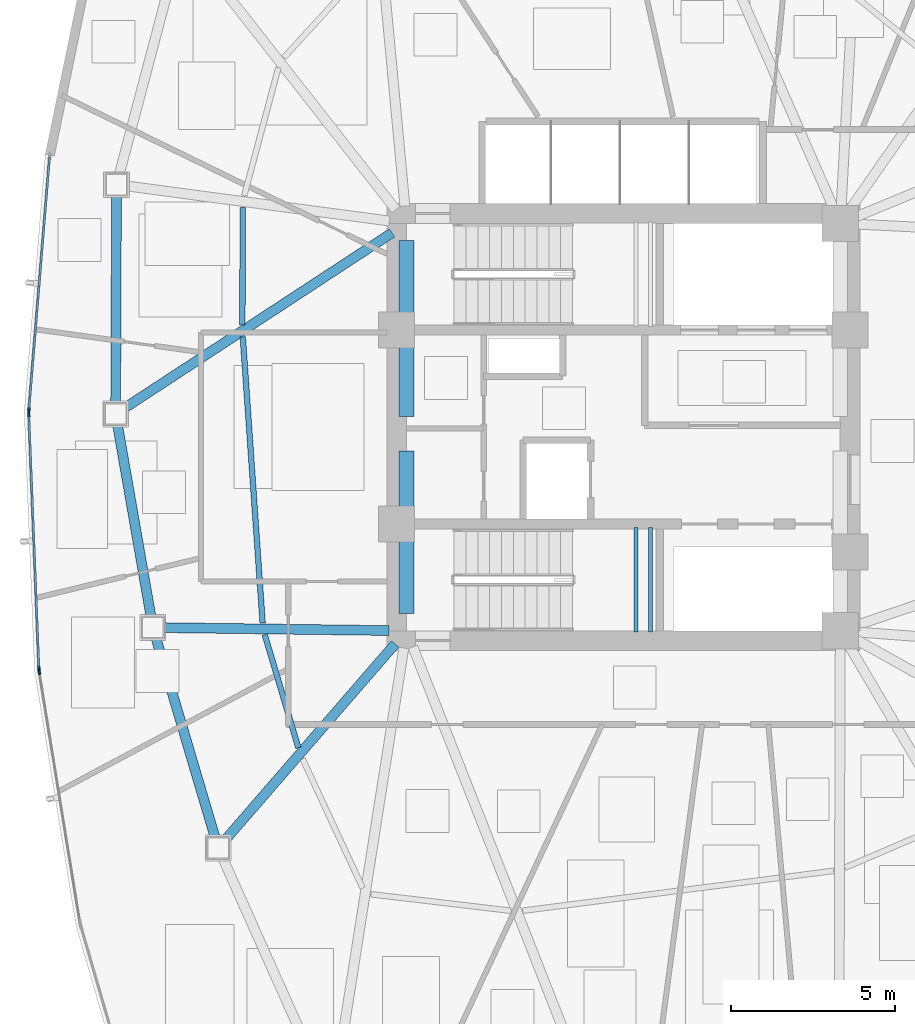
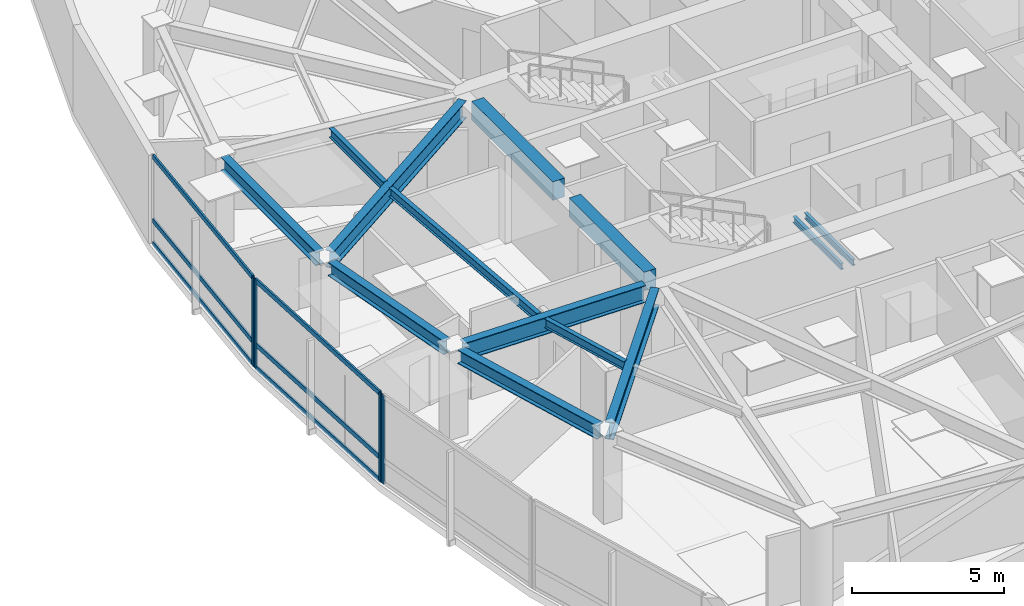
# One storey, part 4 of 17: 13 beams, 10 members, 3 elements without a shape of their own.
"""IFC4 building model written with IfcOpenShell, lengths in metres."""

from ifc_helpers import new_model, si_unit, direction, frame, origin, origin_2d, place, context, subcontext, project, spatial, rectangle, hollow_rectangle, i_section, extrude, source, transform, mapped, material, layer, layer_set, material_profile, profile_set, type_object, type_shapes, element, aggregate, save


model = new_model("IFC4")

# Units and contexts
model_context = context("Model", 3, precision=1e-05, world=origin(), true_north=direction((0.0, 1.0)))
body_context = subcontext(model_context, "Body", "Model", "MODEL_VIEW")
ifc_project = project(units=[si_unit("LENGTHUNIT", "METRE"), si_unit("AREAUNIT", "SQUARE_METRE"), si_unit("VOLUMEUNIT", "CUBIC_METRE"), si_unit("PLANEANGLEUNIT", "RADIAN"), si_unit("MASSUNIT", "GRAM", prefix="KILO")], contexts=[model_context])

# Site, building, storey
site_placement = place(None, origin())
site = spatial("IfcSite", under=ifc_project, at=site_placement, CompositionType="ELEMENT")
building_placement = place(site_placement, origin())
building = spatial("IfcBuilding", under=site, at=building_placement, Name="Tavelor Broadcast Tower", CompositionType="ELEMENT")
storey_placement = place(building_placement, frame((0.0, 0.0, 154.10009765625)))
storey = spatial("IfcBuildingStorey", under=building, at=storey_placement, Name="L36", CompositionType="ELEMENT", Elevation=154.10009765625)

# Beams
ifc_material_1 = material(Name="Concrete C40/50", Category="concrete")
ifc_material_profile_1 = material_profile(ifc_material_1, rectangle(XDim=0.449951171875, YDim=0.75, at=origin_2d()), Name="RC 450x750")
ifc_profile_set_1 = profile_set([ifc_material_profile_1], Name="Concrete C40/50")
beam_type_1 = type_object("IfcBeamType", Name="Basement Core Trim Beam 450x750", PredefinedType="BEAM", material=ifc_profile_set_1)
beam_1_placement = place(storey_placement, frame((43.39990234375, 45.327880859375, 3.1748046875), z_axis=(0.0, 1.0, 0.0), x_axis=(-1.0, 0.0, 0.0)))
element("IfcBeam", 1, at=beam_1_placement, inside=storey, type_object=beam_type_1, Name="L36 Core West-N Tie Girder", PredefinedType="BEAM", context=body_context, shape_type="SweptSolid", body=[
    extrude(rectangle(XDim=0.449951171875, YDim=0.75, at=origin_2d()), origin(), (0.0, 0.0, 1.0), 5.34423828125),
])
beam_2_placement = place(storey_placement, frame((43.39990234375, 39.327880859375, 3.1748046875), z_axis=(0.0, 1.0, 0.0), x_axis=(-1.0, 0.0, 0.0)))
element("IfcBeam", 2, at=beam_2_placement, inside=storey, type_object=beam_type_1, Name="L36 Core West-S Tie Girder", PredefinedType="BEAM", context=body_context, shape_type="SweptSolid", body=[
    extrude(rectangle(XDim=0.449951171875, YDim=0.75, at=origin_2d()), origin(), (0.0, 0.0, 1.0), 4.944091796875),
])
ifc_material_2 = material(Name="Steel S355", Category="steel")
ifc_material_profile_2 = material_profile(ifc_material_2, i_section(OverallWidth=0.169921875, OverallDepth=0.360107421875, WebThickness=0.008056640625, FlangeThickness=0.0126953125, at=origin_2d()), Name="IPE 360")
ifc_profile_set_2 = profile_set([ifc_material_profile_2], Name="Steel S355")
beam_type_2 = type_object("IfcBeamType", Name="Composite Floor Joist T3 IPE 360", PredefinedType="JOIST", material=ifc_profile_set_2)
beam_3_placement = place(storey_placement, frame((38.413818359375, 51.685302734375, 3.369873046875), z_axis=(-0.002320654457, -0.999997307278, 0.0), x_axis=(0.999997307278, -0.002320654457, 0.0)))
element("IfcBeam", 3, at=beam_3_placement, inside=storey, type_object=beam_type_2, Name="L36 Secondary Composite Floor Joist 03", PredefinedType="JOIST", context=body_context, shape_type="SweptSolid", body=[
    extrude(i_section(OverallWidth=0.169921875, OverallDepth=0.360107421875, WebThickness=0.008056640625, FlangeThickness=0.0126953125, at=origin_2d()), origin(), (0.0, 0.0, 1.0), 3.576904296875),
])
beam_4_placement = place(storey_placement, frame((38.41748046875, 47.74658203125, 3.369873046875), z_axis=(0.069100565304, -0.997609699168, 0.0), x_axis=(0.997609699168, 0.069100565304, 0.0)))
element("IfcBeam", 4, at=beam_4_placement, inside=storey, type_object=beam_type_2, Name="L36 Secondary Composite Floor Joist 04", PredefinedType="JOIST", context=body_context, shape_type="SweptSolid", body=[
    extrude(i_section(OverallWidth=0.169921875, OverallDepth=0.360107421875, WebThickness=0.008056640625, FlangeThickness=0.0126953125, at=origin_2d()), origin(), (0.0, 0.0, 1.0), 8.730224609375),
])
beam_5_placement = place(storey_placement, frame((39.084716796875, 38.68310546875, 3.369873046875), z_axis=(0.285203072184, -0.958467113477, 0.0), x_axis=(0.958467113477, 0.285203072184, 0.0)))
element("IfcBeam", 5, at=beam_5_placement, inside=storey, type_object=beam_type_2, Name="L36 Secondary Composite Floor Joist 05", PredefinedType="JOIST", context=body_context, shape_type="SweptSolid", body=[
    extrude(i_section(OverallWidth=0.169921875, OverallDepth=0.360107421875, WebThickness=0.008056640625, FlangeThickness=0.0126953125, at=origin_2d()), origin(), (0.0, 0.0, 1.0), 3.593505859375),
])
ifc_material_profile_3 = material_profile(ifc_material_2, i_section(OverallWidth=0.300048828125, OverallDepth=0.550048828125, WebThickness=0.014892578125, FlangeThickness=0.029052734375, at=origin_2d()), Name="HEB 550")
ifc_profile_set_3 = profile_set([ifc_material_profile_3], Name="Steel S355")
beam_type_3 = type_object("IfcBeamType", Name="Perimeter Spandrel Beam T3 HEB 550", PredefinedType="SPANDREL", material=ifc_profile_set_3)
beam_6_placement = place(storey_placement, frame((34.57373046875, 52.043212890625, 3.27490234375), z_axis=(-0.00410245019, -0.999991584916, 0.0), x_axis=(0.999991584916, -0.00410245019, 0.0)))
element("IfcBeam", 6, at=beam_6_placement, inside=storey, type_object=beam_type_3, Name="L36 Framed-Tube Ring Spandrel 03", PredefinedType="SPANDREL", context=body_context, shape_type="SweptSolid", body=[
    extrude(i_section(OverallWidth=0.300048828125, OverallDepth=0.550048828125, WebThickness=0.014892578125, FlangeThickness=0.029052734375, at=origin_2d()), origin(), (0.0, 0.0, 1.0), 6.30810546875),
])
beam_7_placement = place(storey_placement, frame((34.604248046875, 45.068115234375, 3.27490234375), z_axis=(0.17197754126, -0.985100870623, 0.0), x_axis=(0.985100870623, 0.17197754126, 0.0)))
element("IfcBeam", 7, at=beam_7_placement, inside=storey, type_object=beam_type_3, Name="L36 Framed-Tube Ring Spandrel 04", PredefinedType="SPANDREL", context=body_context, shape_type="SweptSolid", body=[
    extrude(i_section(OverallWidth=0.300048828125, OverallDepth=0.550048828125, WebThickness=0.014892578125, FlangeThickness=0.029052734375, at=origin_2d()), origin(), (0.0, 0.0, 1.0), 5.925537109375),
])
beam_8_placement = place(storey_placement, frame((35.7763671875, 38.57763671875, 3.27490234375), z_axis=(0.283996338182, -0.958825364652, 0.0), x_axis=(0.958825364652, 0.283996338182, 0.0)))
element("IfcBeam", 8, at=beam_8_placement, inside=storey, type_object=beam_type_3, Name="L36 Framed-Tube Ring Spandrel 05", PredefinedType="SPANDREL", context=body_context, shape_type="SweptSolid", body=[
    extrude(i_section(OverallWidth=0.300048828125, OverallDepth=0.550048828125, WebThickness=0.014892578125, FlangeThickness=0.029052734375, at=origin_2d()), origin(), (0.0, 0.0, 1.0), 6.325439453125),
])
ifc_material_profile_4 = material_profile(ifc_material_2, i_section(OverallWidth=0.300048828125, OverallDepth=0.68994140625, WebThickness=0.014404296875, FlangeThickness=0.027099609375, at=origin_2d()), Name="HEA 700")
ifc_profile_set_4 = profile_set([ifc_material_profile_4], Name="Steel S355")
beam_type_4 = type_object("IfcBeamType", Name="Radial Floor Girder T3 HEA 700", PredefinedType="BEAM", material=ifc_profile_set_4)
beam_9_placement = place(storey_placement, frame((42.95849609375, 50.91064453125, 3.204833984375), z_axis=(-0.836455571638, -0.548034740391, 0.0), x_axis=(0.548034740391, -0.836455571638, 0.0)))
element("IfcBeam", 9, at=beam_9_placement, inside=storey, type_object=beam_type_4, Name="L36 Radial Primary Floor Girder 04", PredefinedType="BEAM", context=body_context, shape_type="SweptSolid", body=[
    extrude(i_section(OverallWidth=0.300048828125, OverallDepth=0.68994140625, WebThickness=0.014404296875, FlangeThickness=0.027099609375, at=origin_2d()), origin(), (0.0, 0.0, 1.0), 9.720947265625),
])
beam_10_placement = place(storey_placement, frame((42.8720703125, 38.806884765625, 3.204833984375), z_axis=(-0.999916440376, 0.012927190963, 0.0), x_axis=(-0.012927190963, -0.999916440376, 0.0)))
element("IfcBeam", 10, at=beam_10_placement, inside=storey, type_object=beam_type_4, Name="L36 Radial Primary Floor Girder 05", PredefinedType="BEAM", context=body_context, shape_type="SweptSolid", body=[
    extrude(i_section(OverallWidth=0.300048828125, OverallDepth=0.68994140625, WebThickness=0.014404296875, FlangeThickness=0.027099609375, at=origin_2d()), origin(), (0.0, 0.0, 1.0), 6.85546875),
])
beam_11_placement = place(storey_placement, frame((43.05419921875, 38.401123046875, 3.204833984375), z_axis=(-0.655166261537, -0.755484725024, 0.0), x_axis=(0.755484725024, -0.655166261537, 0.0)))
element("IfcBeam", 11, at=beam_11_placement, inside=storey, type_object=beam_type_4, Name="L36 Radial Primary Floor Girder 06", PredefinedType="BEAM", context=body_context, shape_type="SweptSolid", body=[
    extrude(i_section(OverallWidth=0.300048828125, OverallDepth=0.68994140625, WebThickness=0.014404296875, FlangeThickness=0.027099609375, at=origin_2d()), origin(), (0.0, 0.0, 1.0), 7.885009765625),
])
ifc_material_profile_5 = material_profile(ifc_material_2, i_section(OverallWidth=0.1201171875, OverallDepth=0.239990234375, WebThickness=0.006103515625, FlangeThickness=0.009765625, at=origin_2d()), Name="IPE 240")
ifc_profile_set_5 = profile_set([ifc_material_profile_5], Name="Steel S355")
beam_type_5 = type_object("IfcBeamType", Name="Stairwell Landing Support Trimmer Beam IPE240", PredefinedType="BEAM", material=ifc_profile_set_5)
for number, where, z_axis, x_axis, name in (
    (12, (50.385009765625, 38.760009765625, 1.60986328125), (0.0, 1.0, 0.0), (-1.0, 0.0, 0.0), "L36 Stair Landing Support Beam 319"),
    (13, (50.824951171875, 38.760009765625, 1.60986328125), (0.0, 1.0, 0.0), (-1.0, 0.0, 0.0), "L36 Stair Landing Support Beam 320"),
):
    element("IfcBeam", number, at=place(storey_placement, frame(where, z_axis=z_axis, x_axis=x_axis)), inside=storey, type_object=beam_type_5, Name=name, PredefinedType="BEAM", context=body_context, shape_type="SweptSolid", body=[
        extrude(i_section(OverallWidth=0.1201171875, OverallDepth=0.239990234375, WebThickness=0.006103515625, FlangeThickness=0.009765625, at=origin_2d()), origin(), (0.0, 0.0, 1.0), 3.179931640625),
    ])

# Curtain wall, member
ifc_material_3 = material(Name="Architectural Anodized Aluminium", Category="aluminium")
ifc_layer = layer(ifc_material_3, 0.18994140625)
ifc_layer_set = layer_set([ifc_layer], Name="Architectural Anodized Aluminium")
curtain_wall_type = type_object("IfcCurtainWallType", Name="Tower Mid-Zone Acoustic Curtain Wall CW03", PredefinedType="NOTDEFINED", material=ifc_layer_set)
curtain_wall_1_placement = place(storey_placement, origin())
curtain_wall_1 = element("IfcCurtainWall", 14, at=curtain_wall_1_placement, inside=storey, type_object=curtain_wall_type, Name="L36 Curtain Wall CW03 Run 373", PredefinedType="NOTDEFINED")
ifc_material_profile_6 = material_profile(ifc_material_3, hollow_rectangle(XDim=0.068115234375, YDim=0.18994140625, WallThickness=0.02197265625, at=origin_2d()), Name="RHS 68x190x22")
ifc_profile_set_6 = profile_set([ifc_material_profile_6], Name="Architectural Anodized Aluminium")
member_type_1 = type_object("IfcMemberType", Name="CW03 Extruded Aluminium Mullion 68x190", PredefinedType="MULLION", material=ifc_profile_set_6)
shared_shape_1 = source(origin(), body_context, "Body", "SweptSolid", [
    extrude(hollow_rectangle(XDim=0.068115234375, YDim=0.18994140625, WallThickness=0.02197265625, at=origin_2d()), origin(), (0.0, 0.0, 1.0), 3.5498046875),
])
type_shapes(member_type_1, [shared_shape_1])
member_1_placement = place(storey_placement, frame((31.90673828125, 45.503173828125, 0.0), z_axis=(0.0, 0.0, 1.0), x_axis=(0.996673053965, -0.08150351833, 0.0)))
member_1 = element("IfcMember", 15, at=member_1_placement, type_object=member_type_1, Name="CW03 mullion 2", PredefinedType="MULLION", context=body_context, shape_type="MappedRepresentation", body=[
    mapped(shared_shape_1, transform((0.0, 0.0, 0.0), scale=1.0)),
])

# Curtain wall, members
curtain_wall_2_placement = place(storey_placement, origin())
curtain_wall_2 = element("IfcCurtainWall", 16, at=curtain_wall_2_placement, inside=storey, type_object=curtain_wall_type, Name="L36 Curtain Wall CW03 Run 374", PredefinedType="NOTDEFINED")
member_2_placement = place(storey_placement, frame((31.90478515625, 45.405517578125, 0.0), z_axis=(0.0, 0.0, 1.0), x_axis=(0.999211198904, 0.039711207292, 0.0)))
member_2 = element("IfcMember", 17, at=member_2_placement, type_object=member_type_1, Name="CW03 mullion 1", PredefinedType="MULLION", context=body_context, shape_type="MappedRepresentation", body=[
    mapped(shared_shape_1, transform((0.0, 0.0, 0.0), scale=1.0)),
])
member_3_placement = place(storey_placement, frame((32.212646484375, 37.658203125, 0.0), z_axis=(0.0, 0.0, 1.0), x_axis=(0.999211198904, 0.039711207292, 0.0)))
member_3 = element("IfcMember", 18, at=member_3_placement, type_object=member_type_1, Name="CW03 mullion 2", PredefinedType="MULLION", context=body_context, shape_type="MappedRepresentation", body=[
    mapped(shared_shape_1, transform((0.0, 0.0, 0.0), scale=1.0)),
])

# Curtain wall, member
curtain_wall_3_placement = place(storey_placement, origin())
curtain_wall_3 = element("IfcCurtainWall", 19, at=curtain_wall_3_placement, inside=storey, type_object=curtain_wall_type, Name="L36 Curtain Wall CW03 Run 375", PredefinedType="NOTDEFINED")
member_4_placement = place(storey_placement, frame((32.222412109375, 37.560791015625, 0.0), z_axis=(0.0, 0.0, 1.0), x_axis=(0.987065863091, 0.160315257914, 0.0)))
member_4 = element("IfcMember", 20, at=member_4_placement, type_object=member_type_1, Name="CW03 mullion 1", PredefinedType="MULLION", context=body_context, shape_type="MappedRepresentation", body=[
    mapped(shared_shape_1, transform((0.0, 0.0, 0.0), scale=1.0)),
])
aggregate(curtain_wall_3, [member_4])

# Member
ifc_material_profile_7 = material_profile(ifc_material_3, hollow_rectangle(XDim=0.068115234375, YDim=0.18994140625, WallThickness=0.02197265625, at=origin_2d()), Name="RHS 68x190x22")
ifc_profile_set_7 = profile_set([ifc_material_profile_7], Name="Architectural Anodized Aluminium")
member_type_2 = type_object("IfcMemberType", Name="CW03 Extruded Aluminium Transom 68x190", PredefinedType="USERDEFINED", material=ifc_profile_set_7)
shared_shape_2 = source(origin(), body_context, "Body", "SweptSolid", [
    extrude(hollow_rectangle(XDim=0.068115234375, YDim=0.18994140625, WallThickness=0.02197265625, at=origin_2d()), origin(), (0.0, 0.0, 1.0), 7.700439453125),
])
member_5_placement = place(storey_placement, frame((32.537109375, 53.2119140625, 0.033935546875), z_axis=(-0.08151305562, -0.996672274002, 0.0), x_axis=(0.996672274002, -0.08151305562, 0.0)))
member_5 = element("IfcMember", 21, at=member_5_placement, type_object=member_type_2, Name="CW03 transom 1.1", ObjectType="TRANSOM", PredefinedType="USERDEFINED", context=body_context, shape_type="MappedRepresentation", body=[
    mapped(shared_shape_2, transform((0.0, 0.0, 0.0), scale=1.0)),
])

member_6_placement = place(storey_placement, frame((32.537109375, 53.2119140625, 0.949951171875), z_axis=(-0.08151305562, -0.996672274002, 0.0), x_axis=(0.996672274002, -0.08151305562, 0.0)))
member_6 = element("IfcMember", 22, at=member_6_placement, type_object=member_type_2, Name="CW03 transom 1.2", ObjectType="TRANSOM", PredefinedType="USERDEFINED", context=body_context, shape_type="MappedRepresentation", body=[
    mapped(shared_shape_2, transform((0.0, 0.0, 0.0), scale=1.0)),
])

member_7_placement = place(storey_placement, frame((32.537109375, 53.2119140625, 3.515869140625), z_axis=(-0.08151305562, -0.996672274002, 0.0), x_axis=(0.996672274002, -0.08151305562, 0.0)))
member_7 = element("IfcMember", 23, at=member_7_placement, type_object=member_type_2, Name="CW03 transom 1.3", ObjectType="TRANSOM", PredefinedType="USERDEFINED", context=body_context, shape_type="MappedRepresentation", body=[
    mapped(shared_shape_2, transform((0.0, 0.0, 0.0), scale=1.0)),
])

aggregate(curtain_wall_1, [member_1, member_5, member_6, member_7])

shared_shape_3 = source(origin(), body_context, "Body", "SweptSolid", [
    extrude(hollow_rectangle(XDim=0.068115234375, YDim=0.18994140625, WallThickness=0.02197265625, at=origin_2d()), origin(), (0.0, 0.0, 1.0), 7.685546875),
])
type_shapes(member_type_2, [shared_shape_2, shared_shape_3])
member_8_placement = place(storey_placement, frame((31.906005859375, 45.37158203125, 0.033935546875), z_axis=(0.039707968829, -0.999211327604, 0.0), x_axis=(0.999211327604, 0.039707968829, 0.0)))
member_8 = element("IfcMember", 24, at=member_8_placement, type_object=member_type_2, Name="CW03 transom 1.1", ObjectType="TRANSOM", PredefinedType="USERDEFINED", context=body_context, shape_type="MappedRepresentation", body=[
    mapped(shared_shape_3, transform((0.0, 0.0, 0.0), scale=1.0)),
])

member_9_placement = place(storey_placement, frame((31.906005859375, 45.37158203125, 0.949951171875), z_axis=(0.039707968829, -0.999211327604, 0.0), x_axis=(0.999211327604, 0.039707968829, 0.0)))
member_9 = element("IfcMember", 25, at=member_9_placement, type_object=member_type_2, Name="CW03 transom 1.2", ObjectType="TRANSOM", PredefinedType="USERDEFINED", context=body_context, shape_type="MappedRepresentation", body=[
    mapped(shared_shape_3, transform((0.0, 0.0, 0.0), scale=1.0)),
])

member_10_placement = place(storey_placement, frame((31.906005859375, 45.37158203125, 3.515869140625), z_axis=(0.039707968829, -0.999211327604, 0.0), x_axis=(0.999211327604, 0.039707968829, 0.0)))
member_10 = element("IfcMember", 26, at=member_10_placement, type_object=member_type_2, Name="CW03 transom 1.3", ObjectType="TRANSOM", PredefinedType="USERDEFINED", context=body_context, shape_type="MappedRepresentation", body=[
    mapped(shared_shape_3, transform((0.0, 0.0, 0.0), scale=1.0)),
])

aggregate(curtain_wall_2, [member_2, member_3, member_8, member_9, member_10])

save(model, "model.ifc")
